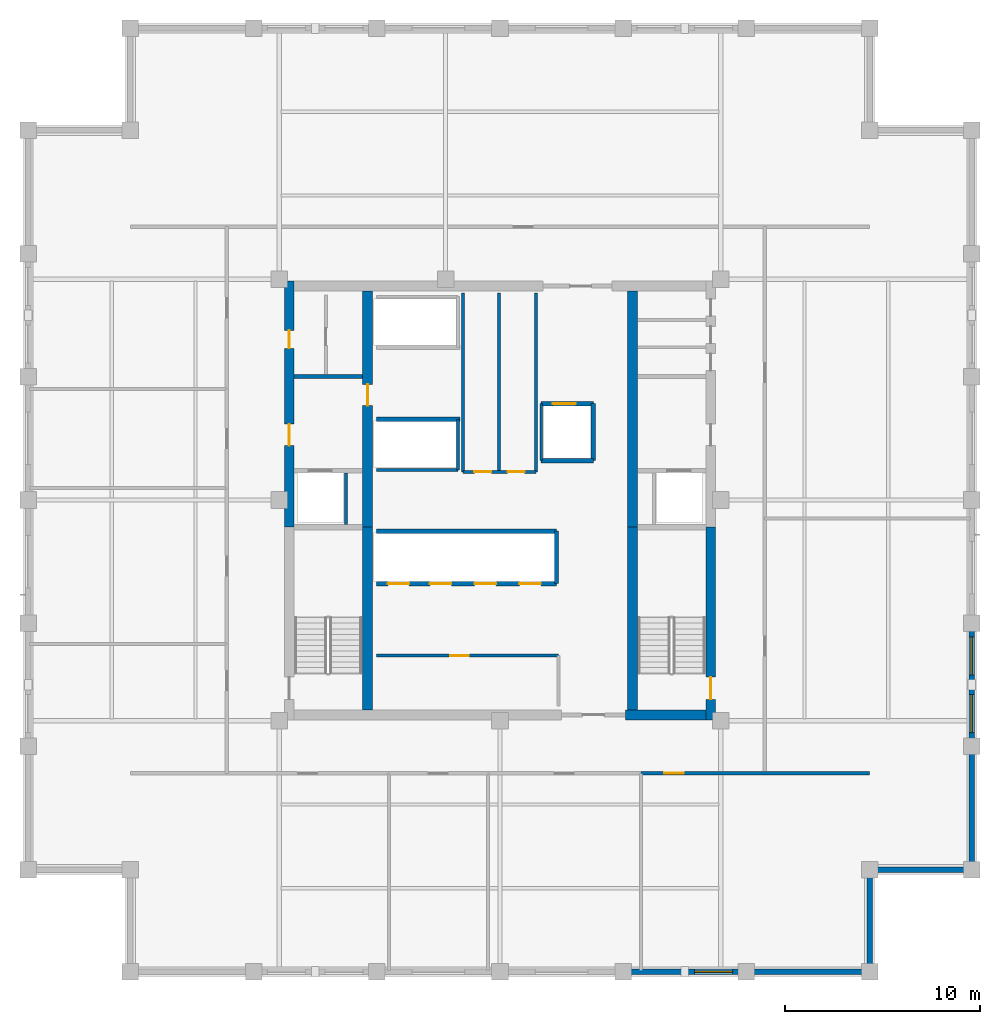
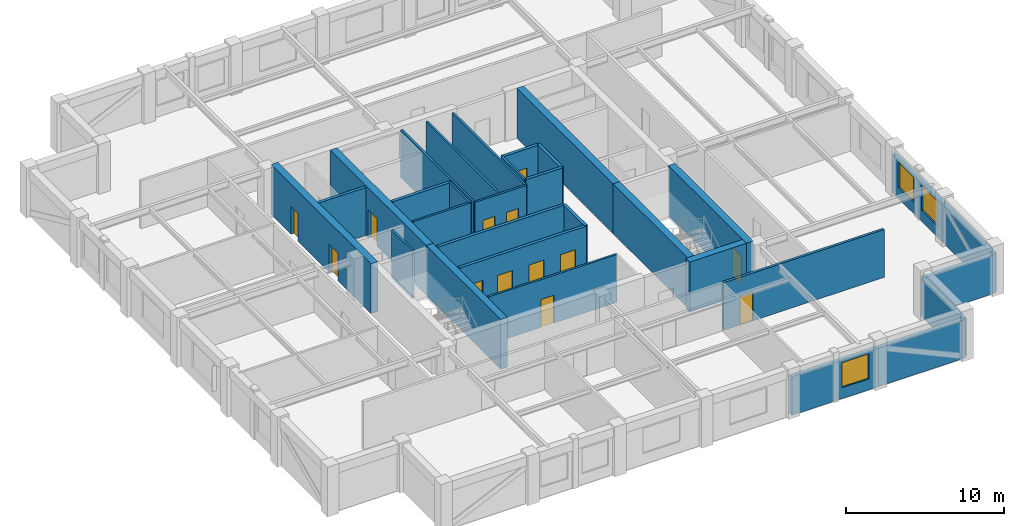
# One storey, part 6 of 9: 31 walls, 13 doors, 3 windows, 16 openings.
"""IFC4 building model written with IfcOpenShell, lengths in metres."""

import ifcopenshell
import ifcopenshell.guid

model = None  # the IFC model being written
_history = None  # IfcOwnerHistory: only IFC2X3 demands one
_inside = {}  # id of a spatial element -> (the spatial element, [elements in it])
_under = {}  # id of a project, library or spatial element -> (it, [spatial elements below it])
_declared = {}  # id of a project -> (the project, [libraries it declares])
_typed = {}  # id of a type object -> (the type object, [elements of that type])
_made_of = {}  # id of a material, layer set ... -> (it, [elements and type objects made of it])


def new_model(schema):
    """Start an empty IFC model of exactly this schema.

    Asked for "IFC4X3", IfcOpenShell would pick the latest addendum, in which some entities
    have other attributes; the version numbers below select the first issue.
    IFC2X3 requires an IfcOwnerHistory on every rooted entity: one is made here for all.
    """
    global model, _history
    if schema == "IFC4X3":
        model = ifcopenshell.file(schema_version=(4, 3, 0, 0))
    else:
        model = ifcopenshell.file(schema=schema)
    _inside.clear()
    _under.clear()
    _declared.clear()
    _typed.clear()
    _made_of.clear()
    _history = None
    if model.schema == "IFC2X3":
        org = make("IfcOrganization", Name="unknown")
        user = make(
            "IfcPersonAndOrganization",
            ThePerson=make("IfcPerson", FamilyName="unknown"),
            TheOrganization=org,
        )
        app = make(
            "IfcApplication",
            ApplicationDeveloper=org,
            Version="unknown",
            ApplicationFullName="unknown",
            ApplicationIdentifier="unknown",
        )
        _history = make(
            "IfcOwnerHistory",
            OwningUser=user,
            OwningApplication=app,
            ChangeAction="ADDED",
            CreationDate=0,
        )
    return model


def make(cls, **values):
    """One entity of the class cls with the attributes given. An attribute that is None is left unset."""
    return model.create_entity(
        cls, **{name: value for name, value in values.items() if value is not None}
    )


def rooted(cls, **values):
    """An entity with a GlobalId (a new one), such as an element, a storey or a relation."""
    return make(cls, GlobalId=ifcopenshell.guid.new(), OwnerHistory=_history, **values)


def si_unit(unit_type, name, prefix=None):
    """IfcSIUnit, for example si_unit("LENGTHUNIT", "METRE", prefix="MILLI")."""
    return make("IfcSIUnit", UnitType=unit_type, Prefix=prefix, Name=name)


def assignment(units):
    """IfcUnitAssignment: the units of a project."""
    return None if units is None else make("IfcUnitAssignment", Units=units)


def point(xyz):
    """IfcCartesianPoint."""
    return None if xyz is None else make("IfcCartesianPoint", Coordinates=xyz)


def direction(xyz):
    """IfcDirection."""
    return None if xyz is None else make("IfcDirection", DirectionRatios=xyz)


def frame(location, z_axis=None, x_axis=None):
    """IfcAxis2Placement3D, a coordinate frame: its origin and axes. An axis left out is left unset."""
    return make(
        "IfcAxis2Placement3D",
        Location=point(location),
        Axis=direction(z_axis),
        RefDirection=direction(x_axis),
    )


def frame_2d(location, x_axis=None):
    """IfcAxis2Placement2D, a coordinate frame in the plane: its origin and x axis."""
    return make(
        "IfcAxis2Placement2D", Location=point(location), RefDirection=direction(x_axis)
    )


def origin():
    """The frame at (0, 0, 0) with its axes left unset."""
    return frame((0.0, 0.0, 0.0))


def place(relative_to, where):
    """IfcLocalPlacement: puts the frame where relative to a parent placement (None: the world)."""
    return make(
        "IfcLocalPlacement", PlacementRelTo=relative_to, RelativePlacement=where
    )


def context(
    kind, dimensions, precision=None, world=None, true_north=None, identifier=None
):
    """IfcGeometricRepresentationContext, for example the 3D "Model" context."""
    return make(
        "IfcGeometricRepresentationContext",
        ContextIdentifier=identifier,
        ContextType=kind,
        CoordinateSpaceDimension=dimensions,
        Precision=precision,
        WorldCoordinateSystem=world,
        TrueNorth=true_north,
    )


def subcontext(parent, identifier, kind, view, scale=None):
    """IfcGeometricRepresentationSubContext, for example "Body" below "Model"."""
    return make(
        "IfcGeometricRepresentationSubContext",
        ContextIdentifier=identifier,
        ContextType=kind,
        ParentContext=parent,
        TargetScale=scale,
        TargetView=view,
    )


def project(units=None, contexts=None):
    """IfcProject with its units and contexts."""
    return rooted(
        "IfcProject",
        Name="project",
        RepresentationContexts=contexts,
        UnitsInContext=assignment(units),
    )


def spatial(cls, under=None, at=None, **own):
    """A site, building, storey or space (cls), placed at a placement, below another one or the project."""
    s = rooted(cls, ObjectPlacement=at, **own)
    if under is not None:
        _under.setdefault(under.id(), (under, []))[1].append(s)
    return s


def profile(cls, at=None, kind="AREA", **sizes):
    """A parametric profile (cls). Its sizes go by their IFC names, for example OverallWidth=200.0."""
    return make(cls, ProfileType=kind, Position=at, **sizes)


def rectangle(**sizes):
    """IfcRectangleProfileDef."""
    return profile("IfcRectangleProfileDef", **sizes)


def extrude(swept, where, along, depth):
    """IfcExtrudedAreaSolid: the profile swept, set in the frame where, extruded along a direction by depth."""
    return make(
        "IfcExtrudedAreaSolid",
        SweptArea=swept,
        Position=where,
        ExtrudedDirection=direction(along),
        Depth=depth,
    )


def shape(context_of_items, identifier, shape_type, items):
    """IfcShapeRepresentation: the items that make up one representation, for example the "Body"."""
    return make(
        "IfcShapeRepresentation",
        ContextOfItems=context_of_items,
        RepresentationIdentifier=identifier,
        RepresentationType=shape_type,
        Items=items,
    )


def material(Name=None, Category=None):
    """IfcMaterial."""
    return make("IfcMaterial", Name=Name, Category=Category)


def layer(
    of_material, thickness, ventilated=None, Name=None, Category=None, Priority=None
):
    """IfcMaterialLayer: one layer of a wall or slab, of a material (None: an air gap)."""
    return make(
        "IfcMaterialLayer",
        Material=of_material,
        LayerThickness=thickness,
        IsVentilated=ventilated,
        Name=Name,
        Category=Category,
        Priority=Priority,
    )


def layer_set(layers, Name=None):
    """IfcMaterialLayerSet."""
    return make("IfcMaterialLayerSet", MaterialLayers=layers, LayerSetName=Name)


def made_of(thing, what):
    """Note that an element or type object is made of a material, layer set ...; save() writes the relation."""
    if what is not None:
        _made_of.setdefault(what.id(), (what, []))[1].append(thing)
    return thing


def type_object(cls, material=None, **own):
    """A type object (cls), such as IfcWallType, which elements share."""
    return made_of(rooted(cls, **own), material)


def element(
    cls,
    number,
    at=None,
    inside=None,
    cuts=None,
    type_object=None,
    material=None,
    context=None,
    identifier="Body",
    shape_type=None,
    held_by="IfcProductDefinitionShape",
    body=None,
    shapes=None,
    **own,
):
    """One element of the class cls, such as IfcWall. Its Tag is "e" and its number.

    at: its placement. inside: the storey or other place that contains it. cuts: it is an
    opening in that element (IfcRelVoidsElement). A single representation is given by context,
    identifier, shape_type and body (its items); several are given by shapes. held_by: the class
    of the entity that holds the representations. save() writes the other relations.
    """
    e = rooted(cls, Tag="e%d" % number, ObjectPlacement=at, **own)
    if body is not None:
        shapes = [shape(context, identifier, shape_type, body)]
    if shapes is not None:
        e.Representation = make(held_by, Representations=shapes)
    if inside is not None:
        _inside.setdefault(inside.id(), (inside, []))[1].append(e)
    if cuts is not None:
        rooted(
            "IfcRelVoidsElement", RelatingBuildingElement=cuts, RelatedOpeningElement=e
        )
    if type_object is not None:
        _typed.setdefault(type_object.id(), (type_object, []))[1].append(e)
    return made_of(e, material)


def fill(opening, filler):
    """IfcRelFillsElement: the door or window that sits in an opening."""
    return rooted(
        "IfcRelFillsElement",
        RelatingOpeningElement=opening,
        RelatedBuildingElement=filler,
    )


def aggregate(whole, parts):
    """IfcRelAggregates: a whole, such as a stair, and the parts it consists of."""
    return rooted("IfcRelAggregates", RelatingObject=whole, RelatedObjects=parts)


def save(model, path):
    """Write the relations noted so far, then the file.

    IfcRelAggregates (storeys below a building ...), IfcRelContainedInSpatialStructure (elements
    in a storey), IfcRelDefinesByType, IfcRelAssociatesMaterial and IfcRelDeclares: one each for
    every whole, place, type object, material and project.
    """
    for whole, parts in _under.values():
        aggregate(whole, parts)
    for where, things in _inside.values():
        rooted(
            "IfcRelContainedInSpatialStructure",
            RelatedElements=things,
            RelatingStructure=where,
        )
    for kind, things in _typed.values():
        rooted("IfcRelDefinesByType", RelatedObjects=things, RelatingType=kind)
    for what, things in _made_of.values():
        rooted("IfcRelAssociatesMaterial", RelatedObjects=things, RelatingMaterial=what)
    for by, libraries in _declared.values():
        rooted("IfcRelDeclares", RelatingContext=by, RelatedDefinitions=libraries)
    model.write(path)


model = new_model("IFC4")

# Units and contexts
model_context = context("Model", 3, precision=1e-05, world=origin(), true_north=direction((0.0, 1.0)))
body_context = subcontext(model_context, "Body", "Model", "MODEL_VIEW")
ifc_project = project(units=[si_unit("LENGTHUNIT", "METRE"), si_unit("AREAUNIT", "SQUARE_METRE"), si_unit("VOLUMEUNIT", "CUBIC_METRE"), si_unit("PLANEANGLEUNIT", "RADIAN"), si_unit("MASSUNIT", "GRAM", prefix="KILO")], contexts=[model_context])

# Site, building, storey
site_placement = place(None, origin())
site = spatial("IfcSite", under=ifc_project, at=site_placement, CompositionType="ELEMENT")
building_placement = place(site_placement, origin())
building = spatial("IfcBuilding", under=site, at=building_placement, Name="Nhamokura Convention Tower", CompositionType="ELEMENT")
storey_placement = place(building_placement, frame((0.0, 0.0, 229.25)))
storey = spatial("IfcBuildingStorey", under=building, at=storey_placement, Name="L56", CompositionType="ELEMENT", Elevation=229.25)

# Wall, opening, window
ifc_material_1 = material(Name="Bronze-pigmented precast concrete C45/55", Category="concrete")
ifc_layer_1 = layer(ifc_material_1, 0.280029296875)
ifc_layer_set_1 = layer_set([ifc_layer_1], Name="BronzePrecastSpandrel_280")
wall_type_1 = type_object("IfcWallType", Name="BronzePrecastSpandrel_280", PredefinedType="USERDEFINED", material=ifc_layer_set_1)
wall_1_placement = place(storey_placement, frame((44.666748046875, 7.75, 0.0), z_axis=(0.0, 0.0, 1.0), x_axis=(-1.0, 0.0, 0.0)))
wall_1 = element("IfcWall", 1, at=wall_1_placement, inside=storey, type_object=wall_type_1, Name="L56 Masonry-Frame Wall SOUTH 4", ObjectType="SPANDREL_WALL", PredefinedType="USERDEFINED", context=body_context, shape_type="SweptSolid", body=[
    extrude(rectangle(XDim=6.33349609375, YDim=0.280029296875, at=frame_2d((3.166748046875, 0.0))), origin(), (0.0, 0.0, 1.0), 2.985107421875),
])
opening_1_placement = place(wall_1_placement, frame((0.708251953125, 0.0, 0.85009765625)))
opening_1 = element("IfcOpeningElement", 2, at=opening_1_placement, cuts=wall_1, Name="Opening W-08", PredefinedType="OPENING", context=body_context, shape_type="SweptSolid", body=[
    extrude(rectangle(XDim=1.949951171875, YDim=1.93505859375, at=frame_2d((0.97509765625, 0.967529296875))), frame((0.0, 0.14990234375, 0.0), z_axis=(0.0, -1.0, 0.0), x_axis=(1.0, 0.0, 0.0)), (0.0, 0.0, 1.0), 0.300048828125),
])
ifc_material_2 = material(Name="Solar-control bronze low-E double glass", Category="glass")
window_type = type_object("IfcWindowType", Name="OfficeModuleWindow_Z3_1950", PartitioningType="SINGLE_PANEL", PredefinedType="WINDOW", material=ifc_material_2)
window_1_placement = place(opening_1_placement, origin())
window_1 = element("IfcWindow", 3, at=window_1_placement, inside=storey, type_object=window_type, Name="L56 Facade Window SOUTH 4-1", OverallHeight=1.93505859375, OverallWidth=1.949951171875, PartitioningType="SINGLE_PANEL", PredefinedType="WINDOW", context=body_context, shape_type="SweptSolid", body=[
    extrude(rectangle(XDim=1.949951171875, YDim=1.93505859375, at=frame_2d((0.97509765625, 0.967529296875))), frame((0.0, 0.030029296875, 0.0), z_axis=(0.0, -1.0, 0.0), x_axis=(1.0, 0.0, 0.0)), (0.0, 0.0, 1.0), 0.06005859375),
])
fill(opening_1, window_1)

# Walls
for number, where, z_axis, x_axis, name in (
    (4, (51.0, 7.75, 0.0), (0.0, 0.0, 1.0), (-1.0, 0.0, 0.0), "L56 Braced-Bay Precast Wall SOUTH 5"),
    (5, (56.25, 19.333251953125, 0.0), (0.0, 0.0, 1.0), (0.0, -1.0, 0.0), "L56 Braced-Bay Precast Wall EAST 0"),
):
    element("IfcWall", number, at=place(storey_placement, frame(where, z_axis=z_axis, x_axis=x_axis)), inside=storey, type_object=wall_type_1, Name=name, ObjectType="SPANDREL_WALL", PredefinedType="USERDEFINED", context=body_context, shape_type="SweptSolid", body=[
        extrude(rectangle(XDim=6.333251953125, YDim=0.280029296875, at=frame_2d((3.16650390625, 0.0))), origin(), (0.0, 0.0, 1.0), 2.985107421875),
    ])

# Wall, openings, windows
wall_2_placement = place(storey_placement, frame((56.25, 25.666748046875, 0.0), z_axis=(0.0, 0.0, 1.0), x_axis=(0.0, -1.0, 0.0)))
wall_2 = element("IfcWall", 6, at=wall_2_placement, inside=storey, type_object=wall_type_1, Name="L56 Masonry-Frame Wall EAST 1", ObjectType="SPANDREL_WALL", PredefinedType="USERDEFINED", context=body_context, shape_type="SweptSolid", body=[
    extrude(rectangle(XDim=6.33349609375, YDim=0.280029296875, at=frame_2d((3.166748046875, 0.0))), origin(), (0.0, 0.0, 1.0), 2.985107421875),
])
opening_2_placement = place(wall_2_placement, frame((0.708251953125, 0.0, 0.85009765625)))
opening_2 = element("IfcOpeningElement", 7, at=opening_2_placement, cuts=wall_2, Name="Opening W-08", PredefinedType="OPENING", context=body_context, shape_type="SweptSolid", body=[
    extrude(rectangle(XDim=1.949951171875, YDim=1.93505859375, at=frame_2d((0.97509765625, 0.967529296875))), frame((0.0, 0.14990234375, 0.0), z_axis=(0.0, -1.0, 0.0), x_axis=(1.0, 0.0, 0.0)), (0.0, 0.0, 1.0), 0.300048828125),
])
opening_3_placement = place(wall_2_placement, frame((3.675048828125, 0.0, 0.85009765625)))
opening_3 = element("IfcOpeningElement", 8, at=opening_3_placement, cuts=wall_2, Name="Opening W-08", PredefinedType="OPENING", context=body_context, shape_type="SweptSolid", body=[
    extrude(rectangle(XDim=1.949951171875, YDim=1.93505859375, at=frame_2d((0.97509765625, 0.967529296875))), frame((0.0, 0.14990234375, 0.0), z_axis=(0.0, -1.0, 0.0), x_axis=(1.0, 0.0, 0.0)), (0.0, 0.0, 1.0), 0.300048828125),
])
window_2_placement = place(opening_2_placement, origin())
window_2 = element("IfcWindow", 9, at=window_2_placement, inside=storey, type_object=window_type, Name="L56 Facade Window EAST 1-1", OverallHeight=1.93505859375, OverallWidth=1.949951171875, PartitioningType="SINGLE_PANEL", PredefinedType="WINDOW", context=body_context, shape_type="SweptSolid", body=[
    extrude(rectangle(XDim=1.949951171875, YDim=1.93505859375, at=frame_2d((0.97509765625, 0.967529296875))), frame((0.0, 0.030029296875, 0.0), z_axis=(0.0, -1.0, 0.0), x_axis=(1.0, 0.0, 0.0)), (0.0, 0.0, 1.0), 0.06005859375),
])
fill(opening_2, window_2)
window_3_placement = place(opening_3_placement, origin())
window_3 = element("IfcWindow", 10, at=window_3_placement, inside=storey, type_object=window_type, Name="L56 Facade Window EAST 1-2", OverallHeight=1.93505859375, OverallWidth=1.949951171875, PartitioningType="SINGLE_PANEL", PredefinedType="WINDOW", context=body_context, shape_type="SweptSolid", body=[
    extrude(rectangle(XDim=1.949951171875, YDim=1.93505859375, at=frame_2d((0.97509765625, 0.967529296875))), frame((0.0, 0.030029296875, 0.0), z_axis=(0.0, -1.0, 0.0), x_axis=(1.0, 0.0, 0.0)), (0.0, 0.0, 1.0), 0.06005859375),
])
fill(opening_3, window_3)

# Walls
for number, where, z_axis, x_axis, name in (
    (11, (51.0, 13.0, 0.0), (0.0, 0.0, 1.0), (0.0, -1.0, 0.0), "L56 Notched Corner Wall SE1"),
    (12, (56.25, 13.0, 0.0), (0.0, 0.0, 1.0), (-1.0, 0.0, 0.0), "L56 Notched Corner Wall SE2"),
):
    element("IfcWall", number, at=place(storey_placement, frame(where, z_axis=z_axis, x_axis=x_axis)), inside=storey, type_object=wall_type_1, Name=name, ObjectType="SPANDREL_WALL", PredefinedType="USERDEFINED", context=body_context, shape_type="SweptSolid", body=[
        extrude(rectangle(XDim=5.25, YDim=0.280029296875, at=frame_2d((2.625, 0.0))), origin(), (0.0, 0.0, 1.0), 2.985107421875),
    ])

# Wall, openings, doors
ifc_material_3 = material(Name="Concrete C60/75", Category="concrete")
ifc_layer_2 = layer(ifc_material_3, 0.5)
ifc_layer_set_2 = layer_set([ifc_layer_2], Name="CoreShearWall_500")
wall_type_2 = type_object("IfcWallType", Name="CoreShearWall_500", PredefinedType="SHEAR", material=ifc_layer_set_2)
wall_3_placement = place(storey_placement, frame((21.159912109375, 30.60009765625, 0.0), z_axis=(0.0, 0.0, 1.0), x_axis=(0.0, 1.0, 0.0)))
wall_3 = element("IfcWall", 13, at=wall_3_placement, inside=storey, type_object=wall_type_2, Name="L56 Core Shear Wall CW-WN", PredefinedType="SHEAR", context=body_context, shape_type="SweptSolid", body=[
    extrude(rectangle(XDim=12.64990234375, YDim=0.5, at=frame_2d((6.324951171875, 0.0))), origin(), (0.0, 0.0, 1.0), 3.85009765625),
])
opening_4_placement = place(wall_3_placement, frame((4.199951171875, 0.0, 0.0)))
opening_4 = element("IfcOpeningElement", 14, at=opening_4_placement, cuts=wall_3, Name="Opening D-05", PredefinedType="OPENING", context=body_context, shape_type="SweptSolid", body=[
    extrude(rectangle(XDim=1.10009765625, YDim=2.14990234375, at=frame_2d((0.550048828125, 1.074951171875))), frame((0.0, 0.260009765625, 0.0), z_axis=(0.0, -1.0, 0.0), x_axis=(1.0, 0.0, 0.0)), (0.0, 0.0, 1.0), 0.52001953125),
])
opening_5_placement = place(wall_3_placement, frame((9.199951171875, 0.0, 0.0)))
opening_5 = element("IfcOpeningElement", 15, at=opening_5_placement, cuts=wall_3, Name="Opening D-10", PredefinedType="OPENING", context=body_context, shape_type="SweptSolid", body=[
    extrude(rectangle(XDim=0.919921875, YDim=2.10009765625, at=frame_2d((0.4599609375, 1.050048828125))), frame((0.0, 0.260009765625, 0.0), z_axis=(0.0, -1.0, 0.0), x_axis=(1.0, 0.0, 0.0)), (0.0, 0.0, 1.0), 0.52001953125),
])
ifc_material_4 = material(Name="Solid oak hardwood", Category="wood")
door_type_1 = type_object("IfcDoorType", Name="AccessibleWCDoor_920", OperationType="NOTDEFINED", PredefinedType="DOOR", material=ifc_material_4)
door_1_placement = place(opening_5_placement, origin())
door_1 = element("IfcDoor", 16, at=door_1_placement, inside=storey, type_object=door_type_1, Name="L56 Core Door INT-L56-D-AWCW", OperationType="SINGLE_SWING_RIGHT", OverallHeight=2.10009765625, OverallWidth=0.919921875, PredefinedType="DOOR", context=body_context, shape_type="SweptSolid", body=[
    extrude(rectangle(XDim=0.919921875, YDim=2.10009765625, at=frame_2d((0.4599609375, 1.050048828125))), frame((0.0, 0.02490234375, 0.0), z_axis=(0.0, -1.0, 0.0), x_axis=(1.0, 0.0, 0.0)), (0.0, 0.0, 1.0), 0.050048828125),
])
fill(opening_5, door_1)
ifc_material_5 = material(Name="Fire-rated steel door", Category="steel")
door_type_2 = type_object("IfcDoorType", Name="FireLobbyDoor_1100", OperationType="NOTDEFINED", PredefinedType="DOOR", material=ifc_material_5)
door_2_placement = place(opening_4_placement, origin())
door_2 = element("IfcDoor", 17, at=door_2_placement, inside=storey, type_object=door_type_2, Name="L56 Core Door INT-L56-D-FFLW", OperationType="SINGLE_SWING_RIGHT", OverallHeight=2.14990234375, OverallWidth=1.10009765625, PredefinedType="DOOR", context=body_context, shape_type="SweptSolid", body=[
    extrude(rectangle(XDim=1.10009765625, YDim=2.14990234375, at=frame_2d((0.550048828125, 1.074951171875))), frame((0.0, 0.02490234375, 0.0), z_axis=(0.0, -1.0, 0.0), x_axis=(1.0, 0.0, 0.0)), (0.0, 0.0, 1.0), 0.050048828125),
])
fill(opening_4, door_2)

# Wall, opening, door
wall_4_placement = place(storey_placement, frame((42.840087890625, 20.699951171875, 0.0), z_axis=(0.0, 0.0, 1.0), x_axis=(0.0, 1.0, 0.0)))
wall_4 = element("IfcWall", 18, at=wall_4_placement, inside=storey, type_object=wall_type_2, Name="L56 Core Shear Wall CW-ES", PredefinedType="SHEAR", context=body_context, shape_type="SweptSolid", body=[
    extrude(rectangle(XDim=9.900146484375, YDim=0.5, at=frame_2d((4.9501953125, 0.0))), origin(), (0.0, 0.0, 1.0), 3.85009765625),
])
opening_6_placement = place(wall_4_placement, frame((1.050048828125, 0.0, 0.0)))
opening_6 = element("IfcOpeningElement", 19, at=opening_6_placement, cuts=wall_4, Name="Opening D-04", PredefinedType="OPENING", context=body_context, shape_type="SweptSolid", body=[
    extrude(rectangle(XDim=1.14990234375, YDim=2.14990234375, at=frame_2d((0.574951171875, 1.074951171875))), frame((0.0, 0.260009765625, 0.0), z_axis=(0.0, -1.0, 0.0), x_axis=(1.0, 0.0, 0.0)), (0.0, 0.0, 1.0), 0.52001953125),
])
ifc_material_6 = material(Name="Fire-rated steel door", Category="steel")
door_type_3 = type_object("IfcDoorType", Name="StairSmokeDoor_1150", OperationType="NOTDEFINED", PredefinedType="DOOR", material=ifc_material_6)
door_3_placement = place(opening_6_placement, origin())
door_3 = element("IfcDoor", 20, at=door_3_placement, inside=storey, type_object=door_type_3, Name="L56 Core Door INT-L56-D-ST02", OperationType="SINGLE_SWING_RIGHT", OverallHeight=2.14990234375, OverallWidth=1.14990234375, PredefinedType="DOOR", context=body_context, shape_type="SweptSolid", body=[
    extrude(rectangle(XDim=1.14990234375, YDim=2.14990234375, at=frame_2d((0.574951171875, 1.074951171875))), frame((0.0, 0.02490234375, 0.0), z_axis=(0.0, -1.0, 0.0), x_axis=(1.0, 0.0, 0.0)), (0.0, 0.0, 1.0), 0.050048828125),
])
fill(opening_6, door_3)

# Walls
wall_5_placement = place(storey_placement, frame((38.449951171875, 20.949951171875, 0.0), z_axis=(0.0, 0.0, 1.0), x_axis=(1.0, 0.0, 0.0)))
element("IfcWall", 21, at=wall_5_placement, inside=storey, type_object=wall_type_2, Name="L56 Core Shear Wall CW-S2", PredefinedType="SHEAR", context=body_context, shape_type="SweptSolid", body=[
    extrude(rectangle(XDim=4.14013671875, YDim=0.5, at=frame_2d((2.070068359375, 0.0))), origin(), (0.0, 0.0, 1.0), 3.85009765625),
])
wall_6_placement = place(storey_placement, frame((25.18994140625, 21.199951171875, 0.0), z_axis=(0.0, 0.0, 1.0), x_axis=(0.0, 1.0, 0.0)))
element("IfcWall", 22, at=wall_6_placement, inside=storey, type_object=wall_type_2, Name="L56 Core Shear Wall CW-IWS", PredefinedType="SHEAR", context=body_context, shape_type="SweptSolid", body=[
    extrude(rectangle(XDim=9.400146484375, YDim=0.5, at=frame_2d((4.7001953125, 0.0))), origin(), (0.0, 0.0, 1.0), 3.85009765625),
])

# Wall, opening, door
wall_7_placement = place(storey_placement, frame((25.18994140625, 30.60009765625, 0.0), z_axis=(0.0, 0.0, 1.0), x_axis=(0.0, 1.0, 0.0)))
wall_7 = element("IfcWall", 23, at=wall_7_placement, inside=storey, type_object=wall_type_2, Name="L56 Core Shear Wall CW-IWN", PredefinedType="SHEAR", context=body_context, shape_type="SweptSolid", body=[
    extrude(rectangle(XDim=12.14990234375, YDim=0.5, at=frame_2d((6.074951171875, 0.0))), origin(), (0.0, 0.0, 1.0), 3.85009765625),
])
opening_7_placement = place(wall_7_placement, frame((6.25, 0.0, 0.0)))
opening_7 = element("IfcOpeningElement", 24, at=opening_7_placement, cuts=wall_7, Name="Opening D-05", PredefinedType="OPENING", context=body_context, shape_type="SweptSolid", body=[
    extrude(rectangle(XDim=1.10009765625, YDim=2.14990234375, at=frame_2d((0.550048828125, 1.074951171875))), frame((0.0, 0.260009765625, 0.0), z_axis=(0.0, -1.0, 0.0), x_axis=(1.0, 0.0, 0.0)), (0.0, 0.0, 1.0), 0.52001953125),
])
door_4_placement = place(opening_7_placement, origin())
door_4 = element("IfcDoor", 25, at=door_4_placement, inside=storey, type_object=door_type_2, Name="L56 Core Door INT-L56-D-B3LOB", OperationType="SINGLE_SWING_LEFT", OverallHeight=2.14990234375, OverallWidth=1.10009765625, PredefinedType="DOOR", context=body_context, shape_type="SweptSolid", body=[
    extrude(rectangle(XDim=1.10009765625, YDim=2.14990234375, at=frame_2d((0.550048828125, 1.074951171875))), frame((0.0, 0.02490234375, 0.0), z_axis=(0.0, -1.0, 0.0), x_axis=(1.0, 0.0, 0.0)), (0.0, 0.0, 1.0), 0.050048828125),
])
fill(opening_7, door_4)

# Walls
wall_8_placement = place(storey_placement, frame((38.81005859375, 21.199951171875, 0.0), z_axis=(0.0, 0.0, 1.0), x_axis=(0.0, 1.0, 0.0)))
element("IfcWall", 26, at=wall_8_placement, inside=storey, type_object=wall_type_2, Name="L56 Core Shear Wall CW-IES", PredefinedType="SHEAR", context=body_context, shape_type="SweptSolid", body=[
    extrude(rectangle(XDim=9.400146484375, YDim=0.5, at=frame_2d((4.7001953125, 0.0))), origin(), (0.0, 0.0, 1.0), 3.85009765625),
])
wall_9_placement = place(storey_placement, frame((38.81005859375, 30.60009765625, 0.0), z_axis=(0.0, 0.0, 1.0), x_axis=(0.0, 1.0, 0.0)))
element("IfcWall", 27, at=wall_9_placement, inside=storey, type_object=wall_type_2, Name="L56 Core Shear Wall CW-IEN", PredefinedType="SHEAR", context=body_context, shape_type="SweptSolid", body=[
    extrude(rectangle(XDim=12.14990234375, YDim=0.5, at=frame_2d((6.074951171875, 0.0))), origin(), (0.0, 0.0, 1.0), 3.85009765625),
])

# Wall, opening, door
ifc_material_7 = material(Name="Fire-rated gypsum and masonry partition", Category="masonry")
ifc_layer_3 = layer(ifc_material_7, 0.179931640625)
ifc_layer_set_3 = layer_set([ifc_layer_3], Name="CorridorRatedWall_180")
wall_type_3 = type_object("IfcWallType", Name="CorridorRatedWall_180", PredefinedType="STANDARD", material=ifc_layer_set_3)
wall_10_placement = place(storey_placement, frame((39.25830078125, 17.949951171875, 0.0), z_axis=(0.0, 0.0, 1.0), x_axis=(1.0, 0.0, 0.0)))
wall_10 = element("IfcWall", 28, at=wall_10_placement, inside=storey, type_object=wall_type_3, Name="L56 Wall INT-L56-CW-S03", PredefinedType="STANDARD", context=body_context, shape_type="SweptSolid", body=[
    extrude(rectangle(XDim=11.74169921875, YDim=0.179931640625, at=frame_2d((5.870849609375, 0.0))), origin(), (0.0, 0.0, 1.0), 3.68505859375),
])
opening_8_placement = place(wall_10_placement, frame((1.19580078125, 0.0, 0.0)))
opening_8 = element("IfcOpeningElement", 29, at=opening_8_placement, cuts=wall_10, Name="Opening D-08", PredefinedType="OPENING", context=body_context, shape_type="SweptSolid", body=[
    extrude(rectangle(XDim=0.97998046875, YDim=2.199951171875, at=frame_2d((0.489990234375, 1.10009765625))), frame((0.0, 0.099853515625, 0.0), z_axis=(0.0, -1.0, 0.0), x_axis=(1.0, 0.0, 0.0)), (0.0, 0.0, 1.0), 0.199951171875),
])
ifc_material_8 = material(Name="Solid oak hardwood", Category="wood")
door_type_4 = type_object("IfcDoorType", Name="OfficeEntryDoor_980", OperationType="NOTDEFINED", PredefinedType="DOOR", material=ifc_material_8)
door_5_placement = place(opening_8_placement, origin())
door_5 = element("IfcDoor", 30, at=door_5_placement, inside=storey, type_object=door_type_4, Name="L56 Executive Suite S04 Door", OperationType="SINGLE_SWING_RIGHT", OverallHeight=2.199951171875, OverallWidth=0.97998046875, PredefinedType="DOOR", context=body_context, shape_type="SweptSolid", body=[
    extrude(rectangle(XDim=0.97998046875, YDim=2.199951171875, at=frame_2d((0.489990234375, 1.10009765625))), frame((0.0, 0.02490234375, 0.0), z_axis=(0.0, -1.0, 0.0), x_axis=(1.0, 0.0, 0.0)), (0.0, 0.0, 1.0), 0.050048828125),
])
fill(opening_8, door_5)

# Wall
ifc_material_9 = material(Name="Autoclaved concrete blockwork", Category="masonry")
ifc_layer_4 = layer(ifc_material_9, 0.219970703125)
ifc_layer_set_4 = layer_set([ifc_layer_4], Name="FireLobbyWall_220")
wall_type_4 = type_object("IfcWallType", Name="FireLobbyWall_220", PredefinedType="STANDARD", material=ifc_layer_set_4)
wall_11_placement = place(storey_placement, frame((21.409912109375, 38.35009765625, 0.0), z_axis=(0.0, 0.0, 1.0), x_axis=(1.0, 0.0, 0.0)))
element("IfcWall", 31, at=wall_11_placement, inside=storey, type_object=wall_type_4, Name="L56 Wall INT-L56-FFW-N", PredefinedType="STANDARD", context=body_context, shape_type="SweptSolid", body=[
    extrude(rectangle(XDim=3.530029296875, YDim=0.219970703125, at=frame_2d((1.76513671875, 0.0))), origin(), (0.0, 0.0, 1.0), 3.68505859375),
])

# Wall, openings, doors
wall_12_placement = place(storey_placement, frame((25.64990234375, 27.699951171875, 0.0), z_axis=(0.0, 0.0, 1.0), x_axis=(1.0, 0.0, 0.0)))
wall_12 = element("IfcWall", 32, at=wall_12_placement, inside=storey, type_object=wall_type_4, Name="L56 Wall INT-L56-B2S", PredefinedType="STANDARD", context=body_context, shape_type="SweptSolid", body=[
    extrude(rectangle(XDim=9.25, YDim=0.219970703125, at=frame_2d((4.625, 0.0))), origin(), (0.0, 0.0, 1.0), 3.68505859375),
])
opening_9_placement = place(wall_12_placement, frame((0.580078125, 0.0, 0.0)))
opening_9 = element("IfcOpeningElement", 33, at=opening_9_placement, cuts=wall_12, Name="Opening LD-01", PredefinedType="OPENING", context=body_context, shape_type="SweptSolid", body=[
    extrude(rectangle(XDim=1.10009765625, YDim=2.14990234375, at=frame_2d((0.550048828125, 1.074951171875))), frame((0.0, 0.119873046875, 0.0), z_axis=(0.0, -1.0, 0.0), x_axis=(1.0, 0.0, 0.0)), (0.0, 0.0, 1.0), 0.239990234375),
])
opening_10_placement = place(wall_12_placement, frame((2.75, 0.0, 0.0)))
opening_10 = element("IfcOpeningElement", 34, at=opening_10_placement, cuts=wall_12, Name="Opening LD-01", PredefinedType="OPENING", context=body_context, shape_type="SweptSolid", body=[
    extrude(rectangle(XDim=1.10009765625, YDim=2.14990234375, at=frame_2d((0.550048828125, 1.074951171875))), frame((0.0, 0.119873046875, 0.0), z_axis=(0.0, -1.0, 0.0), x_axis=(1.0, 0.0, 0.0)), (0.0, 0.0, 1.0), 0.239990234375),
])
opening_11_placement = place(wall_12_placement, frame((5.050048828125, 0.0, 0.0)))
opening_11 = element("IfcOpeningElement", 35, at=opening_11_placement, cuts=wall_12, Name="Opening LD-01", PredefinedType="OPENING", context=body_context, shape_type="SweptSolid", body=[
    extrude(rectangle(XDim=1.10009765625, YDim=2.14990234375, at=frame_2d((0.550048828125, 1.074951171875))), frame((0.0, 0.119873046875, 0.0), z_axis=(0.0, -1.0, 0.0), x_axis=(1.0, 0.0, 0.0)), (0.0, 0.0, 1.0), 0.239990234375),
])
opening_12_placement = place(wall_12_placement, frame((7.35009765625, 0.0, 0.0)))
opening_12 = element("IfcOpeningElement", 36, at=opening_12_placement, cuts=wall_12, Name="Opening LD-01", PredefinedType="OPENING", context=body_context, shape_type="SweptSolid", body=[
    extrude(rectangle(XDim=1.10009765625, YDim=2.14990234375, at=frame_2d((0.550048828125, 1.074951171875))), frame((0.0, 0.119873046875, 0.0), z_axis=(0.0, -1.0, 0.0), x_axis=(1.0, 0.0, 0.0)), (0.0, 0.0, 1.0), 0.239990234375),
])
ifc_material_10 = material(Name="Anodised bronze stainless steel", Category="steel")
door_type_5 = type_object("IfcDoorType", Name="LiftLandingDoor_Passenger", OperationType="DOUBLE_DOOR_SLIDING", PredefinedType="DOOR", material=ifc_material_10)
door_6_placement = place(opening_9_placement, origin())
door_6 = element("IfcDoor", 37, at=door_6_placement, inside=storey, type_object=door_type_5, Name="L56 Lift LP-05 Landing Door", OperationType="DOUBLE_DOOR_SLIDING", OverallHeight=2.14990234375, OverallWidth=1.10009765625, PredefinedType="DOOR", context=body_context, shape_type="SweptSolid", body=[
    extrude(rectangle(XDim=1.10009765625, YDim=2.14990234375, at=frame_2d((0.550048828125, 1.074951171875))), frame((0.0, 0.02490234375, 0.0), z_axis=(0.0, -1.0, 0.0), x_axis=(1.0, 0.0, 0.0)), (0.0, 0.0, 1.0), 0.050048828125),
])
fill(opening_9, door_6)
door_7_placement = place(opening_10_placement, origin())
door_7 = element("IfcDoor", 38, at=door_7_placement, inside=storey, type_object=door_type_5, Name="L56 Lift LP-06 Landing Door", OperationType="DOUBLE_DOOR_SLIDING", OverallHeight=2.14990234375, OverallWidth=1.10009765625, PredefinedType="DOOR", context=body_context, shape_type="SweptSolid", body=[
    extrude(rectangle(XDim=1.10009765625, YDim=2.14990234375, at=frame_2d((0.550048828125, 1.074951171875))), frame((0.0, 0.02490234375, 0.0), z_axis=(0.0, -1.0, 0.0), x_axis=(1.0, 0.0, 0.0)), (0.0, 0.0, 1.0), 0.050048828125),
])
fill(opening_10, door_7)
door_8_placement = place(opening_11_placement, origin())
door_8 = element("IfcDoor", 39, at=door_8_placement, inside=storey, type_object=door_type_5, Name="L56 Lift LP-07 Landing Door", OperationType="DOUBLE_DOOR_SLIDING", OverallHeight=2.14990234375, OverallWidth=1.10009765625, PredefinedType="DOOR", context=body_context, shape_type="SweptSolid", body=[
    extrude(rectangle(XDim=1.10009765625, YDim=2.14990234375, at=frame_2d((0.550048828125, 1.074951171875))), frame((0.0, 0.02490234375, 0.0), z_axis=(0.0, -1.0, 0.0), x_axis=(1.0, 0.0, 0.0)), (0.0, 0.0, 1.0), 0.050048828125),
])
fill(opening_11, door_8)
door_9_placement = place(opening_12_placement, origin())
door_9 = element("IfcDoor", 40, at=door_9_placement, inside=storey, type_object=door_type_5, Name="L56 Lift LP-08 Landing Door", OperationType="DOUBLE_DOOR_SLIDING", OverallHeight=2.14990234375, OverallWidth=1.10009765625, PredefinedType="DOOR", context=body_context, shape_type="SweptSolid", body=[
    extrude(rectangle(XDim=1.10009765625, YDim=2.14990234375, at=frame_2d((0.550048828125, 1.074951171875))), frame((0.0, 0.02490234375, 0.0), z_axis=(0.0, -1.0, 0.0), x_axis=(1.0, 0.0, 0.0)), (0.0, 0.0, 1.0), 0.050048828125),
])
fill(opening_12, door_9)

# Walls
wall_13_placement = place(storey_placement, frame((25.64990234375, 30.39990234375, 0.0), z_axis=(0.0, 0.0, 1.0), x_axis=(1.0, 0.0, 0.0)))
element("IfcWall", 41, at=wall_13_placement, inside=storey, type_object=wall_type_4, Name="L56 Wall INT-L56-B2N", PredefinedType="STANDARD", context=body_context, shape_type="SweptSolid", body=[
    extrude(rectangle(XDim=9.25, YDim=0.219970703125, at=frame_2d((4.625, 0.0))), origin(), (0.0, 0.0, 1.0), 3.68505859375),
])
wall_14_placement = place(storey_placement, frame((34.89990234375, 27.699951171875, 0.0), z_axis=(0.0, 0.0, 1.0), x_axis=(0.0, 1.0, 0.0)))
element("IfcWall", 42, at=wall_14_placement, inside=storey, type_object=wall_type_4, Name="L56 Wall INT-L56-B2E", PredefinedType="STANDARD", context=body_context, shape_type="SweptSolid", body=[
    extrude(rectangle(XDim=2.699951171875, YDim=0.219970703125, at=frame_2d((1.35009765625, 0.0))), origin(), (0.0, 0.0, 1.0), 3.68505859375),
])
wall_15_placement = place(storey_placement, frame((25.64990234375, 36.14990234375, 0.0), z_axis=(0.0, 0.0, 1.0), x_axis=(1.0, 0.0, 0.0)))
element("IfcWall", 43, at=wall_15_placement, inside=storey, type_object=wall_type_4, Name="L56 Wall INT-L56-B3S", PredefinedType="STANDARD", context=body_context, shape_type="SweptSolid", body=[
    extrude(rectangle(XDim=4.300048828125, YDim=0.219970703125, at=frame_2d((2.14990234375, 0.0))), origin(), (0.0, 0.0, 1.0), 3.68505859375),
])

# Wall, opening, door
wall_16_placement = place(storey_placement, frame((34.1201171875, 36.949951171875, 0.0), z_axis=(0.0, 0.0, 1.0), x_axis=(1.0, 0.0, 0.0)))
wall_16 = element("IfcWall", 44, at=wall_16_placement, inside=storey, type_object=wall_type_4, Name="L56 Wall INT-L56-LSN", PredefinedType="STANDARD", context=body_context, shape_type="SweptSolid", body=[
    extrude(rectangle(XDim=2.679931640625, YDim=0.219970703125, at=frame_2d((1.33984375, 0.0))), origin(), (0.0, 0.0, 1.0), 3.68505859375),
])
opening_13_placement = place(wall_16_placement, frame((0.580078125, 0.0, 0.0)))
opening_13 = element("IfcOpeningElement", 45, at=opening_13_placement, cuts=wall_16, Name="Opening LD-02", PredefinedType="OPENING", context=body_context, shape_type="SweptSolid", body=[
    extrude(rectangle(XDim=1.199951171875, YDim=2.199951171875, at=frame_2d((0.60009765625, 1.10009765625))), frame((0.0, 0.119873046875, 0.0), z_axis=(0.0, -1.0, 0.0), x_axis=(1.0, 0.0, 0.0)), (0.0, 0.0, 1.0), 0.239990234375),
])
ifc_material_11 = material(Name="Anodised bronze stainless steel", Category="steel")
door_type_6 = type_object("IfcDoorType", Name="LiftLandingDoor_FireService", OperationType="DOUBLE_DOOR_SLIDING", PredefinedType="DOOR", material=ifc_material_11)
door_10_placement = place(opening_13_placement, origin())
door_10 = element("IfcDoor", 46, at=door_10_placement, inside=storey, type_object=door_type_6, Name="L56 Service Lift LS-01 Door", OperationType="DOUBLE_DOOR_SLIDING", OverallHeight=2.199951171875, OverallWidth=1.199951171875, PredefinedType="DOOR", context=body_context, shape_type="SweptSolid", body=[
    extrude(rectangle(XDim=1.199951171875, YDim=2.199951171875, at=frame_2d((0.60009765625, 1.10009765625))), frame((0.0, 0.02490234375, 0.0), z_axis=(0.0, -1.0, 0.0), x_axis=(1.0, 0.0, 0.0)), (0.0, 0.0, 1.0), 0.050048828125),
])
fill(opening_13, door_10)

# Walls
wall_17_placement = place(storey_placement, frame((36.800048828125, 34.02001953125, 0.0), z_axis=(0.0, 0.0, 1.0), x_axis=(0.0, 1.0, 0.0)))
element("IfcWall", 47, at=wall_17_placement, inside=storey, type_object=wall_type_4, Name="L56 Wall INT-L56-LSE", PredefinedType="STANDARD", context=body_context, shape_type="SweptSolid", body=[
    extrude(rectangle(XDim=2.929931640625, YDim=0.219970703125, at=frame_2d((1.46484375, 0.0))), origin(), (0.0, 0.0, 1.0), 3.68505859375),
])
wall_18_placement = place(storey_placement, frame((34.1201171875, 34.02001953125, 0.0), z_axis=(0.0, 0.0, 1.0), x_axis=(1.0, 0.0, 0.0)))
element("IfcWall", 48, at=wall_18_placement, inside=storey, type_object=wall_type_4, Name="L56 Wall INT-L56-LSS", PredefinedType="STANDARD", context=body_context, shape_type="SweptSolid", body=[
    extrude(rectangle(XDim=2.679931640625, YDim=0.219970703125, at=frame_2d((1.33984375, 0.0))), origin(), (0.0, 0.0, 1.0), 3.68505859375),
])
ifc_material_12 = material(Name="Acoustic gypsum stud partition", Category="masonry")
ifc_layer_5 = layer(ifc_material_12, 0.14990234375)
ifc_layer_set_5 = layer_set([ifc_layer_5], Name="InteriorPartition_150")
wall_type_5 = type_object("IfcWallType", Name="InteriorPartition_150", PredefinedType="STANDARD", material=ifc_layer_set_5)
wall_19_placement = place(storey_placement, frame((24.080078125, 30.75, 0.0), z_axis=(0.0, 0.0, 1.0), x_axis=(0.0, 1.0, 0.0)))
element("IfcWall", 49, at=wall_19_placement, inside=storey, type_object=wall_type_5, Name="L56 Wall INT-L56-FF1-E", PredefinedType="STANDARD", context=body_context, shape_type="SweptSolid", body=[
    extrude(rectangle(XDim=2.64990234375, YDim=0.14990234375, at=frame_2d((1.324951171875, 0.0))), origin(), (0.0, 0.0, 1.0), 3.68505859375),
])

# Wall, opening, door
wall_20_placement = place(storey_placement, frame((25.64990234375, 24.0, 0.0), z_axis=(0.0, 0.0, 1.0), x_axis=(1.0, 0.0, 0.0)))
wall_20 = element("IfcWall", 50, at=wall_20_placement, inside=storey, type_object=wall_type_5, Name="L56 Wall INT-L56-B1R-N", PredefinedType="STANDARD", context=body_context, shape_type="SweptSolid", body=[
    extrude(rectangle(XDim=9.35009765625, YDim=0.14990234375, at=frame_2d((4.675048828125, 0.0))), origin(), (0.0, 0.0, 1.0), 3.68505859375),
])
opening_14_placement = place(wall_20_placement, frame((3.800048828125, 0.0, 0.0)))
opening_14 = element("IfcOpeningElement", 51, at=opening_14_placement, cuts=wall_20, Name="Opening D-09", PredefinedType="OPENING", context=body_context, shape_type="SweptSolid", body=[
    extrude(rectangle(XDim=0.949951171875, YDim=2.14990234375, at=frame_2d((0.47509765625, 1.074951171875))), frame((0.0, 0.0849609375, 0.0), z_axis=(0.0, -1.0, 0.0), x_axis=(1.0, 0.0, 0.0)), (0.0, 0.0, 1.0), 0.169921875),
])
ifc_material_13 = material(Name="Solid oak hardwood", Category="wood")
door_type_7 = type_object("IfcDoorType", Name="MeetingRoomDoor_950", OperationType="NOTDEFINED", PredefinedType="DOOR", material=ifc_material_13)
door_11_placement = place(opening_14_placement, origin())
door_11 = element("IfcDoor", 52, at=door_11_placement, inside=storey, type_object=door_type_7, Name="L56 Reclaimed Briefing Room Door", OperationType="SINGLE_SWING_LEFT", OverallHeight=2.14990234375, OverallWidth=0.949951171875, PredefinedType="DOOR", context=body_context, shape_type="SweptSolid", body=[
    extrude(rectangle(XDim=0.949951171875, YDim=2.14990234375, at=frame_2d((0.47509765625, 1.074951171875))), frame((0.0, 0.02490234375, 0.0), z_axis=(0.0, -1.0, 0.0), x_axis=(1.0, 0.0, 0.0)), (0.0, 0.0, 1.0), 0.050048828125),
])
fill(opening_14, door_11)

# Walls
wall_21_placement = place(storey_placement, frame((25.64990234375, 33.550048828125, 0.0), z_axis=(0.0, 0.0, 1.0), x_axis=(1.0, 0.0, 0.0)))
element("IfcWall", 53, at=wall_21_placement, inside=storey, type_object=wall_type_5, Name="L56 Wall INT-L56-B3A-S", PredefinedType="STANDARD", context=body_context, shape_type="SweptSolid", body=[
    extrude(rectangle(XDim=4.2001953125, YDim=0.14990234375, at=frame_2d((2.10009765625, 0.0))), origin(), (0.0, 0.0, 1.0), 3.68505859375),
])
wall_22_placement = place(storey_placement, frame((29.85009765625, 33.550048828125, 0.0), z_axis=(0.0, 0.0, 1.0), x_axis=(0.0, 1.0, 0.0)))
element("IfcWall", 54, at=wall_22_placement, inside=storey, type_object=wall_type_5, Name="L56 Wall INT-L56-B3A-E", PredefinedType="STANDARD", context=body_context, shape_type="SweptSolid", body=[
    extrude(rectangle(XDim=2.599853515625, YDim=0.14990234375, at=frame_2d((1.2998046875, 0.0))), origin(), (0.0, 0.0, 1.0), 3.68505859375),
])
for number, where, z_axis, x_axis, name in (
    (55, (30.10009765625, 33.449951171875, 0.0), (0.0, 0.0, 1.0), (0.0, 1.0, 0.0), "L56 Wall INT-L56-ST03W"),
    (56, (31.949951171875, 33.449951171875, 0.0), (0.0, 0.0, 1.0), (0.0, 1.0, 0.0), "L56 Wall INT-L56-ST03M"),
    (57, (33.85009765625, 33.449951171875, 0.0), (0.0, 0.0, 1.0), (0.0, 1.0, 0.0), "L56 Wall INT-L56-ST03E"),
):
    element("IfcWall", number, at=place(storey_placement, frame(where, z_axis=z_axis, x_axis=x_axis)), inside=storey, type_object=wall_type_5, Name=name, PredefinedType="STANDARD", context=body_context, shape_type="SweptSolid", body=[
        extrude(rectangle(XDim=9.199951171875, YDim=0.14990234375, at=frame_2d((4.60009765625, 0.0))), origin(), (0.0, 0.0, 1.0), 3.68505859375),
    ])

# Wall, openings, doors
wall_23_placement = place(storey_placement, frame((30.10009765625, 33.449951171875, 0.0), z_axis=(0.0, 0.0, 1.0), x_axis=(1.0, 0.0, 0.0)))
wall_23 = element("IfcWall", 58, at=wall_23_placement, inside=storey, type_object=wall_type_5, Name="L56 Wall INT-L56-ST03S", PredefinedType="STANDARD", context=body_context, shape_type="SweptSolid", body=[
    extrude(rectangle(XDim=3.75, YDim=0.14990234375, at=frame_2d((1.875, 0.0))), origin(), (0.0, 0.0, 1.0), 3.68505859375),
])
opening_15_placement = place(wall_23_placement, frame((0.580078125, 0.0, 0.0)))
opening_15 = element("IfcOpeningElement", 59, at=opening_15_placement, cuts=wall_23, Name="Opening D-11", PredefinedType="OPENING", context=body_context, shape_type="SweptSolid", body=[
    extrude(rectangle(XDim=0.8798828125, YDim=2.10009765625, at=frame_2d((0.43994140625, 1.050048828125))), frame((0.0, 0.0849609375, 0.0), z_axis=(0.0, -1.0, 0.0), x_axis=(1.0, 0.0, 0.0)), (0.0, 0.0, 1.0), 0.169921875),
])
opening_16_placement = place(wall_23_placement, frame((2.2900390625, 0.0, 0.0)))
opening_16 = element("IfcOpeningElement", 60, at=opening_16_placement, cuts=wall_23, Name="Opening D-11", PredefinedType="OPENING", context=body_context, shape_type="SweptSolid", body=[
    extrude(rectangle(XDim=0.8798828125, YDim=2.10009765625, at=frame_2d((0.43994140625, 1.050048828125))), frame((0.0, 0.0849609375, 0.0), z_axis=(0.0, -1.0, 0.0), x_axis=(1.0, 0.0, 0.0)), (0.0, 0.0, 1.0), 0.169921875),
])
ifc_material_14 = material(Name="Solid oak hardwood", Category="wood")
door_type_8 = type_object("IfcDoorType", Name="BathroomDoor_880", OperationType="NOTDEFINED", PredefinedType="DOOR", material=ifc_material_14)
door_12_placement = place(opening_15_placement, origin())
door_12 = element("IfcDoor", 61, at=door_12_placement, inside=storey, type_object=door_type_8, Name="L56 Wellness Suite Door", OperationType="SINGLE_SWING_LEFT", OverallHeight=2.10009765625, OverallWidth=0.8798828125, PredefinedType="DOOR", context=body_context, shape_type="SweptSolid", body=[
    extrude(rectangle(XDim=0.8798828125, YDim=2.10009765625, at=frame_2d((0.43994140625, 1.050048828125))), frame((0.0, 0.02490234375, 0.0), z_axis=(0.0, -1.0, 0.0), x_axis=(1.0, 0.0, 0.0)), (0.0, 0.0, 1.0), 0.050048828125),
])
fill(opening_15, door_12)
door_13_placement = place(opening_16_placement, origin())
door_13 = element("IfcDoor", 62, at=door_13_placement, inside=storey, type_object=door_type_8, Name="L56 Records Archive Door", OperationType="SINGLE_SWING_RIGHT", OverallHeight=2.10009765625, OverallWidth=0.8798828125, PredefinedType="DOOR", context=body_context, shape_type="SweptSolid", body=[
    extrude(rectangle(XDim=0.8798828125, YDim=2.10009765625, at=frame_2d((0.43994140625, 1.050048828125))), frame((0.0, 0.02490234375, 0.0), z_axis=(0.0, -1.0, 0.0), x_axis=(1.0, 0.0, 0.0)), (0.0, 0.0, 1.0), 0.050048828125),
])
fill(opening_16, door_13)

# Wall
wall_24_placement = place(storey_placement, frame((34.1201171875, 34.02001953125, 0.0), z_axis=(0.0, 0.0, 1.0), x_axis=(0.0, 1.0, 0.0)))
element("IfcWall", 63, at=wall_24_placement, inside=storey, type_object=wall_type_5, Name="L56 Wall INT-L56-LSW", PredefinedType="STANDARD", context=body_context, shape_type="SweptSolid", body=[
    extrude(rectangle(XDim=2.929931640625, YDim=0.14990234375, at=frame_2d((1.46484375, 0.0))), origin(), (0.0, 0.0, 1.0), 3.68505859375),
])

save(model, "model.ifc")
